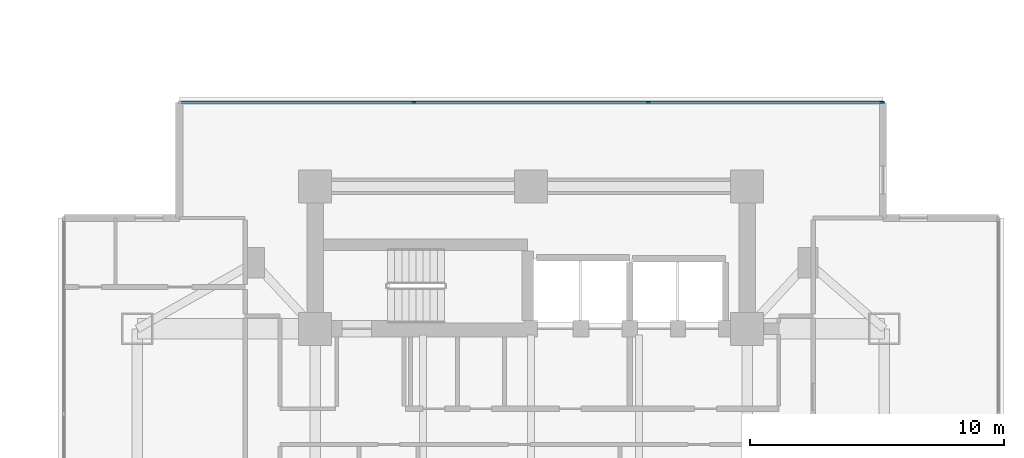
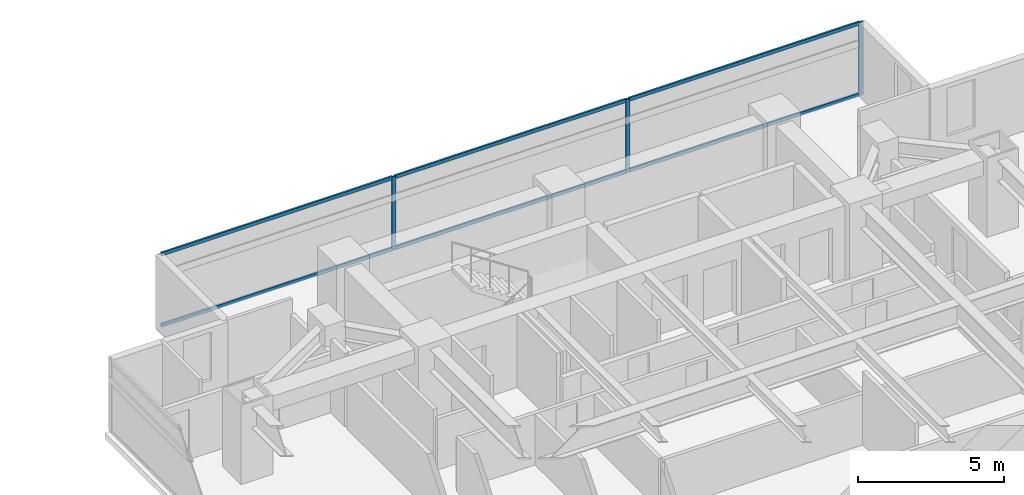
# One storey, part 11 of 24: 9 members, 1 element without a shape of its own.
"""IFC4 building model written with IfcOpenShell, lengths in metres."""

from ifc_helpers import new_model, si_unit, direction, frame, origin, origin_2d, place, context, subcontext, project, spatial, rectangle, extrude, material, material_profile, profile_set, type_object, element, aggregate, save


model = new_model("IFC4")

# Units and contexts
model_context = context("Model", 3, precision=1e-05, world=origin(), true_north=direction((0.0, 1.0)))
body_context = subcontext(model_context, "Body", "Model", "MODEL_VIEW")
ifc_project = project(units=[si_unit("LENGTHUNIT", "METRE"), si_unit("AREAUNIT", "SQUARE_METRE"), si_unit("VOLUMEUNIT", "CUBIC_METRE"), si_unit("PLANEANGLEUNIT", "RADIAN"), si_unit("MASSUNIT", "GRAM", prefix="KILO")], contexts=[model_context])

# Site, building, storey
site_placement = place(None, origin())
site = spatial("IfcSite", under=ifc_project, at=site_placement, CompositionType="ELEMENT")
building_placement = place(site_placement, origin())
building = spatial("IfcBuilding", under=site, at=building_placement, Name="Mirazonda Arch Towers", CompositionType="ELEMENT")
storey_placement = place(building_placement, frame((0.0, 0.0, 65.300048828125)))
storey = spatial("IfcBuildingStorey", under=building, at=storey_placement, Name="L18", CompositionType="ELEMENT", Elevation=65.300048828125)

# Curtain wall, members
ifc_material_1 = material(Name="Anodised Aluminium and Low-E Glass", Category="aluminium")
curtain_wall_type = type_object("IfcCurtainWallType", Name="CW-HTL-UNIT", PredefinedType="NOTDEFINED", material=ifc_material_1)
curtain_wall_placement = place(storey_placement, origin())
curtain_wall = element("IfcCurtainWall", 1, at=curtain_wall_placement, inside=storey, type_object=curtain_wall_type, Name="L18 T2 N Facade CW-L18-T2-N", PredefinedType="NOTDEFINED")
ifc_material_2 = material(Name="Anodised Aluminium Alloy", Category="aluminium")
ifc_material_profile_1 = material_profile(ifc_material_2, rectangle(XDim=0.074951171875, YDim=0.1650390625, at=origin_2d()), Name="ALU-MULL-75x165")
ifc_profile_set_1 = profile_set([ifc_material_profile_1], Name="Anodised Aluminium Alloy")
member_type_1 = type_object("IfcMemberType", Name="MULL-CW-HTL-UNIT", PredefinedType="MULLION", material=ifc_profile_set_1)
member_1_placement = place(storey_placement, frame((71.884765625, 44.109130859375, 0.0), z_axis=(0.0, 0.0, 1.0), x_axis=(0.0, 1.0, 0.0)))
member_1 = element("IfcMember", 2, at=member_1_placement, type_object=member_type_1, Name="CW-112 mullion 2", PredefinedType="MULLION", context=body_context, shape_type="SweptSolid", body=[
    extrude(rectangle(XDim=0.074951171875, YDim=0.1650390625, at=origin_2d()), origin(), (0.0, 0.0, 1.0), 3.0400390625),
])
member_2_placement = place(storey_placement, frame((81.115234375, 44.109130859375, 0.0), z_axis=(0.0, 0.0, 1.0), x_axis=(0.0, 1.0, 0.0)))
member_2 = element("IfcMember", 3, at=member_2_placement, type_object=member_type_1, Name="CW-112 mullion 3", PredefinedType="MULLION", context=body_context, shape_type="SweptSolid", body=[
    extrude(rectangle(XDim=0.074951171875, YDim=0.1650390625, at=origin_2d()), origin(), (0.0, 0.0, 1.0), 3.0400390625),
])
member_3_placement = place(storey_placement, frame((90.30859375, 44.109130859375, 0.0), z_axis=(0.0, 0.0, 1.0), x_axis=(0.0, 1.0, 0.0)))
member_3 = element("IfcMember", 4, at=member_3_placement, type_object=member_type_1, Name="CW-112 mullion 4", PredefinedType="MULLION", context=body_context, shape_type="SweptSolid", body=[
    extrude(rectangle(XDim=0.074951171875, YDim=0.1650390625, at=origin_2d()), origin(), (0.0, 0.0, 1.0), 3.0400390625),
])
ifc_material_profile_2 = material_profile(ifc_material_2, rectangle(XDim=0.074951171875, YDim=0.14501953125, at=origin_2d()), Name="ALU-TRAN-75x145")
ifc_profile_set_2 = profile_set([ifc_material_profile_2], Name="Anodised Aluminium Alloy")
member_type_2 = type_object("IfcMemberType", Name="TRAN-CW-HTL-UNIT", PredefinedType="USERDEFINED", material=ifc_profile_set_2)
member_4_placement = place(storey_placement, frame((62.72900390625, 44.109130859375, 0.037353515625), z_axis=(1.0, 0.0, 0.0), x_axis=(0.0, 1.0, 0.0)))
member_4 = element("IfcMember", 5, at=member_4_placement, type_object=member_type_2, Name="CW-112 transom 1.1", ObjectType="TRANSOM", PredefinedType="USERDEFINED", context=body_context, shape_type="SweptSolid", body=[
    extrude(rectangle(XDim=0.074951171875, YDim=0.14501953125, at=origin_2d()), origin(), (0.0, 0.0, 1.0), 9.1181640625),
])
member_5_placement = place(storey_placement, frame((62.72900390625, 44.109130859375, 3.00244140625), z_axis=(1.0, 0.0, 0.0), x_axis=(0.0, 1.0, 0.0)))
member_5 = element("IfcMember", 6, at=member_5_placement, type_object=member_type_2, Name="CW-112 transom 1.2", ObjectType="TRANSOM", PredefinedType="USERDEFINED", context=body_context, shape_type="SweptSolid", body=[
    extrude(rectangle(XDim=0.074951171875, YDim=0.14501953125, at=origin_2d()), origin(), (0.0, 0.0, 1.0), 9.1181640625),
])
member_6_placement = place(storey_placement, frame((71.922119140625, 44.109130859375, 0.037353515625), z_axis=(1.0, 0.0, 0.0), x_axis=(0.0, 1.0, 0.0)))
member_6 = element("IfcMember", 7, at=member_6_placement, type_object=member_type_2, Name="CW-112 transom 2.1", ObjectType="TRANSOM", PredefinedType="USERDEFINED", context=body_context, shape_type="SweptSolid", body=[
    extrude(rectangle(XDim=0.074951171875, YDim=0.14501953125, at=origin_2d()), origin(), (0.0, 0.0, 1.0), 9.15576171875),
])
member_7_placement = place(storey_placement, frame((71.922119140625, 44.109130859375, 3.00244140625), z_axis=(1.0, 0.0, 0.0), x_axis=(0.0, 1.0, 0.0)))
member_7 = element("IfcMember", 8, at=member_7_placement, type_object=member_type_2, Name="CW-112 transom 2.2", ObjectType="TRANSOM", PredefinedType="USERDEFINED", context=body_context, shape_type="SweptSolid", body=[
    extrude(rectangle(XDim=0.074951171875, YDim=0.14501953125, at=origin_2d()), origin(), (0.0, 0.0, 1.0), 9.15576171875),
])
member_8_placement = place(storey_placement, frame((81.15283203125, 44.109130859375, 0.037353515625), z_axis=(1.0, 0.0, 0.0), x_axis=(0.0, 1.0, 0.0)))
member_8 = element("IfcMember", 9, at=member_8_placement, type_object=member_type_2, Name="CW-112 transom 3.1", ObjectType="TRANSOM", PredefinedType="USERDEFINED", context=body_context, shape_type="SweptSolid", body=[
    extrude(rectangle(XDim=0.074951171875, YDim=0.14501953125, at=origin_2d()), origin(), (0.0, 0.0, 1.0), 9.1181640625),
])
member_9_placement = place(storey_placement, frame((81.15283203125, 44.109130859375, 3.00244140625), z_axis=(1.0, 0.0, 0.0), x_axis=(0.0, 1.0, 0.0)))
member_9 = element("IfcMember", 10, at=member_9_placement, type_object=member_type_2, Name="CW-112 transom 3.2", ObjectType="TRANSOM", PredefinedType="USERDEFINED", context=body_context, shape_type="SweptSolid", body=[
    extrude(rectangle(XDim=0.074951171875, YDim=0.14501953125, at=origin_2d()), origin(), (0.0, 0.0, 1.0), 9.1181640625),
])
aggregate(curtain_wall, [member_1, member_2, member_3, member_4, member_5, member_6, member_7, member_8, member_9])

save(model, "model.ifc")
